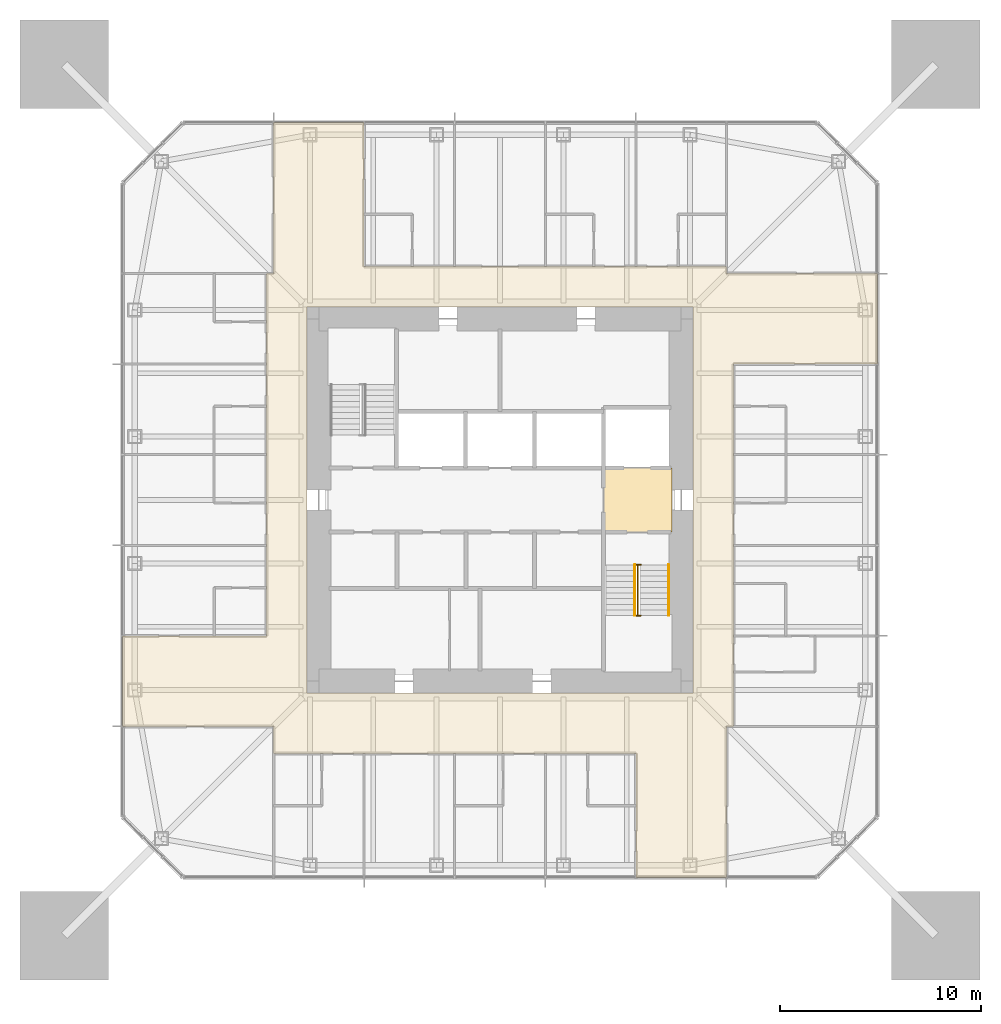
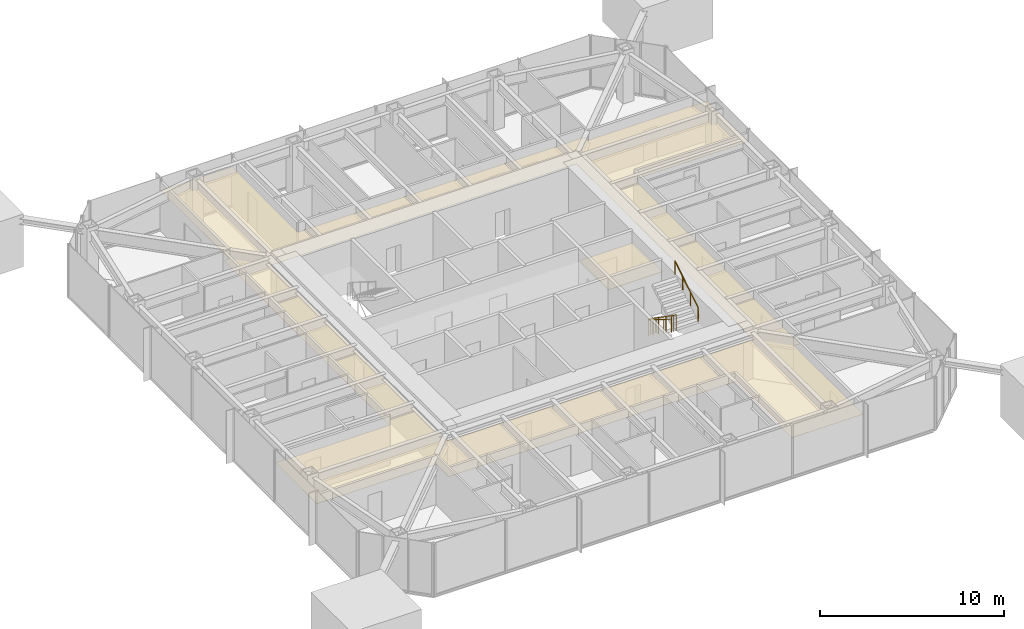
# One storey, part 10 of 11: 3 railings, 2 coverings.
"""IFC4 building model written with IfcOpenShell, lengths in metres."""

from ifc_helpers import new_model, si_unit, direction, frame, origin, origin_2d, place, context, subcontext, project, spatial, polyline, circle, outline, extrude, material, layer, layer_set, constituent, constituent_set, type_object, element, save


model = new_model("IFC4")

# Units and contexts
model_context = context("Model", 3, precision=1e-05, world=origin(), true_north=direction((0.0, 1.0)))
body_context = subcontext(model_context, "Body", "Model", "MODEL_VIEW")
ifc_project = project(units=[si_unit("LENGTHUNIT", "METRE"), si_unit("AREAUNIT", "SQUARE_METRE"), si_unit("VOLUMEUNIT", "CUBIC_METRE"), si_unit("PLANEANGLEUNIT", "RADIAN"), si_unit("MASSUNIT", "GRAM", prefix="KILO")], contexts=[model_context])

# Site, building, storey
site_placement = place(None, origin())
site = spatial("IfcSite", under=ifc_project, at=site_placement, CompositionType="ELEMENT")
building_placement = place(site_placement, origin())
building = spatial("IfcBuilding", under=site, at=building_placement, Name="Iwan Alto Co-Living Towers", CompositionType="ELEMENT")
storey_placement = place(building_placement, frame((0.0, 0.0, 156.5)))
storey = spatial("IfcBuildingStorey", under=building, at=storey_placement, Name="L42", CompositionType="ELEMENT", Elevation=156.5)

# Covering
ifc_material_1 = material(Name="Mineral fibre acoustic tiles on steel grid", Category="steel")
ifc_layer_1 = layer(ifc_material_1, 0.02001953125)
ifc_layer_set_1 = layer_set([ifc_layer_1], Name="ACOUSTIC TILE CEILING 20")
covering_type_1 = type_object("IfcCoveringType", Name="ACOUSTIC TILE CEILING 20", PredefinedType="CEILING", material=ifc_layer_set_1)
covering_1_placement = place(storey_placement, frame((0.0, 0.0, 2.60009765625)))
element("IfcCovering", 1, at=covering_1_placement, inside=storey, type_object=covering_type_1, Name="Ceiling Firefighting lobby L42", PredefinedType="CEILING", context=body_context, shape_type="SweptSolid", body=[
    extrude(outline(polyline([(5.14990234375, -1.60009765625), (5.14990234375, 1.60009765625), (8.550048828125, 1.60009765625), (8.550048828125, -1.60009765625), (5.14990234375, -1.60009765625)])), origin(), (0.0, 0.0, 1.0), 0.02001953125),
])

# Railings
ifc_material_2 = material(Name="Steel ASTM A500 Gr C", Category="steel")
ifc_constituent_1 = constituent(ifc_material_2, Name="Rails and posts", Category="Framing")
ifc_material_3 = material(Name="Steel ASTM A36", Category="steel")
ifc_constituent_2 = constituent(ifc_material_3, Name="Bar infill", Category="Infill")
ifc_constituent_set = constituent_set(constituents=[ifc_constituent_1, ifc_constituent_2], Name="STAIR GUARD 1100")
railing_type_1 = type_object("IfcRailingType", Name="STAIR GUARD 1100", PredefinedType="GUARDRAIL", material=ifc_constituent_set)
railing_1_placement = place(storey_placement, frame((6.85009765625, -3.219970703125, 0.0)))
element("IfcRailing", 2, at=railing_1_placement, inside=storey, type_object=railing_type_1, Name="Stair T1-S2 well guard L42", PredefinedType="GUARDRAIL", context=body_context, shape_type="SweptSolid", body=[
    extrude(circle(Radius=0.02392578125, at=origin_2d()), frame((0.0, 0.0, 1.076171875), z_axis=(0.0, -0.821372036852, 0.570392826987), x_axis=(1.0, 0.0, 0.0)), (0.0, 0.0, 1.0), 3.068115234375),
    extrude(circle(Radius=0.02392578125, at=origin_2d()), frame((-0.150146484375, 0.0, 1.076171875), z_axis=(1.0, 0.0, 0.0), x_axis=(0.0, 1.0, 0.0)), (0.0, 0.0, 1.0), 0.300048828125),
    extrude(circle(Radius=0.02392578125, at=origin_2d()), frame((-0.150146484375, -2.52001953125, 2.826171875), z_axis=(1.0, 0.0, 0.0), x_axis=(0.0, 1.0, 0.0)), (0.0, 0.0, 1.0), 0.300048828125),
    extrude(circle(Radius=0.02099609375, at=origin_2d()), origin(), (0.0, 0.0, 1.0), 1.052001953125),
    extrude(circle(Radius=0.02099609375, at=origin_2d()), frame((0.0, -0.840087890625, 0.583251953125)), (0.0, 0.0, 1.0), 1.052001953125),
    extrude(circle(Radius=0.02099609375, at=origin_2d()), frame((0.0, -1.679931640625, 1.166748046875)), (0.0, 0.0, 1.0), 1.052001953125),
    extrude(circle(Radius=0.02099609375, at=origin_2d()), frame((0.0, -2.52001953125, 1.75)), (0.0, 0.0, 1.0), 1.052001953125),
    extrude(circle(Radius=0.02099609375, at=origin_2d()), frame((-0.150146484375, 0.0, 0.0)), (0.0, 0.0, 1.0), 1.052001953125),
    extrude(circle(Radius=0.02099609375, at=origin_2d()), frame((0.14990234375, 0.0, 0.0)), (0.0, 0.0, 1.0), 1.052001953125),
    extrude(circle(Radius=0.02099609375, at=origin_2d()), frame((-0.150146484375, -2.52001953125, 1.75)), (0.0, 0.0, 1.0), 1.052001953125),
    extrude(circle(Radius=0.02099609375, at=origin_2d()), frame((0.14990234375, -2.52001953125, 1.75)), (0.0, 0.0, 1.0), 1.052001953125),
])
ifc_material_4 = material(Name="Steel ASTM A500 Gr C", Category="steel")
railing_type_2 = type_object("IfcRailingType", Name="STAIR HANDRAIL 900", PredefinedType="HANDRAIL", material=ifc_material_4)
railing_2_placement = place(storey_placement, frame((6.699951171875, -3.219970703125, 0.175048828125)))
element("IfcRailing", 3, at=railing_2_placement, inside=storey, type_object=railing_type_2, Name="Stair T1-S2 handrail 1 L42", PredefinedType="HANDRAIL", context=body_context, shape_type="SweptSolid", body=[
    extrude(circle(Radius=0.02392578125, at=origin_2d()), frame((0.0, 0.0, 0.8759765625), z_axis=(0.0, -0.848007534815, 0.529984170421), x_axis=(1.0, 0.0, 0.0)), (0.0, 0.0, 1.0), 2.9716796875),
    extrude(circle(Radius=0.02099609375, at=origin_2d()), origin(), (0.0, 0.0, 1.0), 0.851806640625),
    extrude(circle(Radius=0.02099609375, at=origin_2d()), frame((0.0, -0.840087890625, 0.52490234375)), (0.0, 0.0, 1.0), 0.851806640625),
    extrude(circle(Radius=0.02099609375, at=origin_2d()), frame((0.0, -1.679931640625, 1.050048828125)), (0.0, 0.0, 1.0), 0.851806640625),
    extrude(circle(Radius=0.02099609375, at=origin_2d()), frame((0.0, -2.52001953125, 1.574951171875)), (0.0, 0.0, 1.0), 0.851806640625),
])
railing_3_placement = place(storey_placement, frame((8.3798828125, -5.739990234375, 1.925048828125)))
element("IfcRailing", 4, at=railing_3_placement, inside=storey, type_object=railing_type_2, Name="Stair T1-S2 handrail 2 L42", PredefinedType="HANDRAIL", context=body_context, shape_type="SweptSolid", body=[
    extrude(circle(Radius=0.02392578125, at=origin_2d()), frame((0.0, 0.0, 0.8759765625), z_axis=(0.0, 0.848007534815, 0.529984170421), x_axis=(-1.0, 0.0, 0.0)), (0.0, 0.0, 1.0), 2.9716796875),
    extrude(circle(Radius=0.02099609375, at=origin_2d()), origin(), (0.0, 0.0, 1.0), 0.851806640625),
    extrude(circle(Radius=0.02099609375, at=origin_2d()), frame((0.0, 0.840087890625, 0.52490234375)), (0.0, 0.0, 1.0), 0.851806640625),
    extrude(circle(Radius=0.02099609375, at=origin_2d()), frame((0.0, 1.679931640625, 1.050048828125)), (0.0, 0.0, 1.0), 0.851806640625),
    extrude(circle(Radius=0.02099609375, at=origin_2d()), frame((0.0, 2.52001953125, 1.574951171875)), (0.0, 0.0, 1.0), 0.851806640625),
])

# Covering
ifc_material_5 = material(Name="Gypsum plasterboard on steel grid", Category="steel")
ifc_layer_2 = layer(ifc_material_5, 0.014892578125)
ifc_layer_set_2 = layer_set([ifc_layer_2], Name="SUSPENDED PLASTERBOARD CEILING 15")
covering_type_2 = type_object("IfcCoveringType", Name="SUSPENDED PLASTERBOARD CEILING 15", PredefinedType="CEILING", material=ifc_layer_set_2)
covering_2_placement = place(storey_placement, frame((0.0, 0.0, 2.60009765625)))
element("IfcCovering", 5, at=covering_2_placement, inside=storey, type_object=covering_type_2, Name="Ceiling Corridor L42", PredefinedType="CEILING", context=body_context, shape_type="SweptSolid", body=[
    extrude(outline(polyline([(-18.75, -6.75), (-11.60009765625, -6.75), (-11.60009765625, 11.25), (-11.25, 11.25), (-11.25, 11.60009765625), (-11.25, 18.75), (-6.75, 18.75), (-6.75, 11.60009765625), (11.25, 11.60009765625), (11.25, 11.25), (11.60009765625, 11.25), (18.75, 11.25), (18.75, 6.75), (11.60009765625, 6.75), (11.60009765625, -11.25), (11.25, -11.25), (11.25, -12.60009765625), (11.25, -18.75), (6.75, -18.75), (6.75, -12.60009765625), (-11.25, -12.60009765625), (-11.25, -11.25), (-11.60009765625, -11.25), (-18.75, -11.25), (-18.75, -6.75)]), holes=[polyline([(9.60009765625, 9.60009765625), (-9.60009765625, 9.60009765625), (-9.60009765625, -9.60009765625), (9.60009765625, -9.60009765625), (9.60009765625, 9.60009765625)])]), origin(), (0.0, 0.0, 1.0), 0.014892578125),
])

save(model, "model.ifc")
